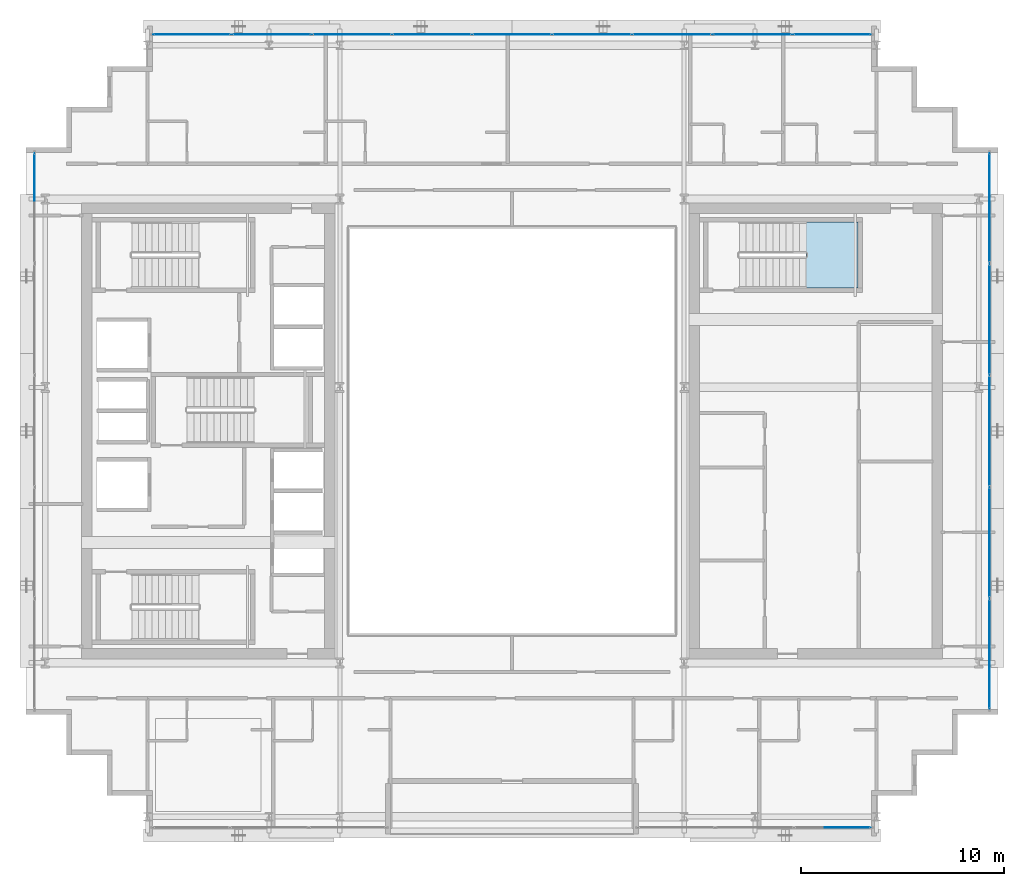
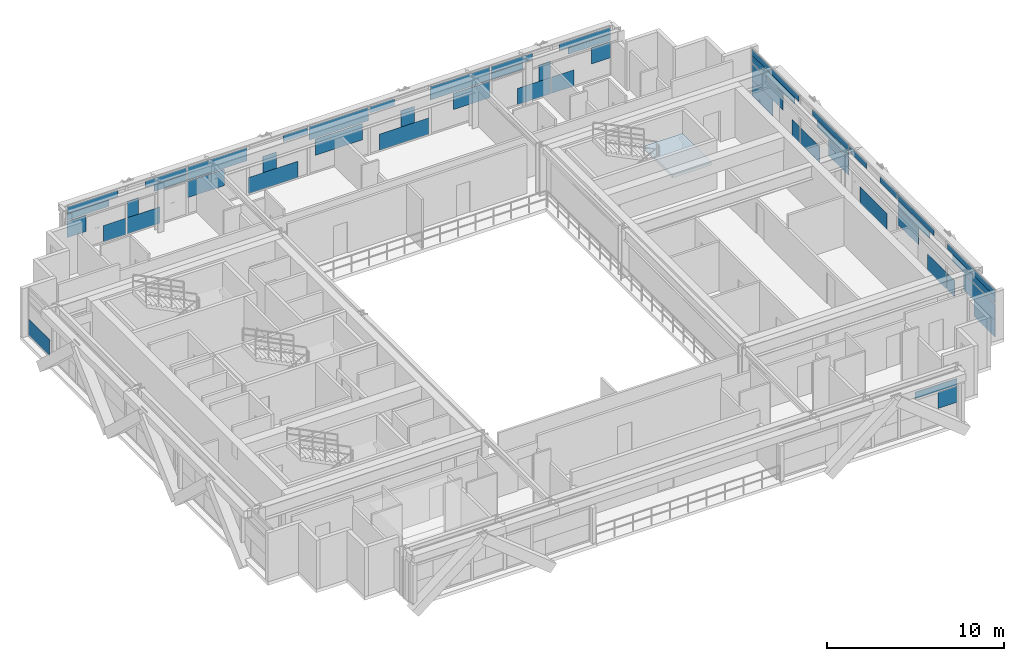
# One storey, part 21 of 31: 52 plates, 1 slab, 5 elements without a shape of their own.
"""IFC4 building model written with IfcOpenShell, lengths in metres."""

from ifc_helpers import new_model, si_unit, direction, frame, origin, origin_2d, place, context, subcontext, project, spatial, polyline, rectangle, outline, extrude, source, transform, mapped, material, layer, layer_set, type_object, element, aggregate, save


model = new_model("IFC4")

# Units and contexts
model_context = context("Model", 3, precision=1e-05, world=origin(), true_north=direction((0.0, 1.0)))
body_context = subcontext(model_context, "Body", "Model", "MODEL_VIEW")
ifc_project = project(units=[si_unit("LENGTHUNIT", "METRE"), si_unit("AREAUNIT", "SQUARE_METRE"), si_unit("VOLUMEUNIT", "CUBIC_METRE"), si_unit("PLANEANGLEUNIT", "RADIAN"), si_unit("MASSUNIT", "GRAM", prefix="KILO")], contexts=[model_context])

# Site, building, storey
site_placement = place(None, origin())
site = spatial("IfcSite", under=ifc_project, at=site_placement, CompositionType="ELEMENT")
building_placement = place(site_placement, origin())
building = spatial("IfcBuilding", under=site, at=building_placement, Name="Ocotamira Hotel", CompositionType="ELEMENT")
storey_placement = place(building_placement, frame((0.0, 0.0, 174.0)))
storey = spatial("IfcBuildingStorey", under=building, at=storey_placement, Name="L43", CompositionType="ELEMENT", Elevation=174.0)

# Stair, slab
ifc_material_1 = material(Name="Concrete C40/50", Category="concrete")
stair_type = type_object("IfcStairType", Name="ST-CORE-1560", PredefinedType="HALF_TURN_STAIR", material=ifc_material_1)
stair_placement = place(storey_placement, origin())
stair = element("IfcStair", 1, at=stair_placement, inside=storey, type_object=stair_type, Name="L43 Exit Stair ST-4", PredefinedType="HALF_TURN_STAIR")
ifc_layer_1 = layer(ifc_material_1, 0.199951171875)
ifc_layer_set_1 = layer_set([ifc_layer_1], Name="Concrete C40/50")
slab_type = type_object("IfcSlabType", Name="SLB-LAND-200", PredefinedType="LANDING", material=ifc_layer_set_1)
slab_placement = place(storey_placement, frame((0.0, 0.0, 1.60009765625)))
slab = element("IfcSlab", 2, at=slab_placement, type_object=slab_type, Name="ST-4 landing 1", PredefinedType="LANDING", context=body_context, shape_type="SweptSolid", body=[
    extrude(outline(polyline([(46.530029296875, 33.050048828125), (49.090087890625, 33.050048828125), (49.090087890625, 36.330078125), (46.530029296875, 36.330078125), (46.530029296875, 33.050048828125)])), origin(), (0.0, 0.0, 1.0), 0.199951171875),
])
aggregate(stair, [slab])

# Curtain wall, plates
ifc_material_2 = material(Name="Anodised pale-metal aluminium and solar glass", Category="aluminium")
ifc_layer_2 = layer(ifc_material_2, 0.199951171875)
ifc_layer_set_2 = layer_set([ifc_layer_2], Name="Anodised pale-metal aluminium and solar glass")
curtain_wall_type = type_object("IfcCurtainWallType", Name="CW-SYS4-Z3", PredefinedType="NOTDEFINED", material=ifc_layer_set_2)
curtain_wall_1_placement = place(storey_placement, origin())
curtain_wall_1 = element("IfcCurtainWall", 3, at=curtain_wall_1_placement, inside=storey, type_object=curtain_wall_type, Name="L43 Curtain Wall CW-4 CW-L43-N", PredefinedType="NOTDEFINED")
ifc_material_3 = material(Name="Double-silver low-E insulated solar glass", Category="glass")
ifc_layer_3 = layer(ifc_material_3, 0.031982421875)
ifc_layer_set_3 = layer_set([ifc_layer_3], Name="Double-silver low-E insulated solar glass")
plate_type = type_object("IfcPlateType", Name="CWP-VISION-32", PredefinedType="CURTAIN_PANEL", material=ifc_layer_set_3)
shared_shape_1 = source(origin(), body_context, "Body", "SweptSolid", [
    extrude(rectangle(XDim=3.87548828125, YDim=0.031982421875, at=origin_2d()), origin(), (0.0, 0.0, 1.0), 0.907470703125),
])
plate_1_placement = place(storey_placement, frame((24.0888671875, 45.580078125, 2.3876953125), z_axis=(0.0, 0.0, 1.0), x_axis=(1.0, 0.0, 0.0)))
plate_1 = element("IfcPlate", 4, at=plate_1_placement, type_object=plate_type, Name="CW-4 panel 3.2", PredefinedType="CURTAIN_PANEL", context=body_context, shape_type="MappedRepresentation", body=[
    mapped(shared_shape_1, transform((0.0, 0.0, 0.0), scale=1.0)),
])
plate_2_placement = place(storey_placement, frame((32.0, 45.580078125, 2.3876953125), z_axis=(0.0, 0.0, 1.0), x_axis=(1.0, 0.0, 0.0)))
plate_2 = element("IfcPlate", 5, at=plate_2_placement, type_object=plate_type, Name="CW-4 panel 5.2", PredefinedType="CURTAIN_PANEL", context=body_context, shape_type="MappedRepresentation", body=[
    mapped(shared_shape_1, transform((0.0, 0.0, 0.0), scale=1.0)),
])
plate_3_placement = place(storey_placement, frame((39.9111328125, 45.580078125, 2.3876953125), z_axis=(0.0, 0.0, 1.0), x_axis=(1.0, 0.0, 0.0)))
plate_3 = element("IfcPlate", 6, at=plate_3_placement, type_object=plate_type, Name="CW-4 panel 7.2", PredefinedType="CURTAIN_PANEL", context=body_context, shape_type="MappedRepresentation", body=[
    mapped(shared_shape_1, transform((0.0, 0.0, 0.0), scale=1.0)),
])

# Curtain wall, plate
curtain_wall_2_placement = place(storey_placement, origin())
curtain_wall_2 = element("IfcCurtainWall", 7, at=curtain_wall_2_placement, inside=storey, type_object=curtain_wall_type, Name="L43 Curtain Wall CW-4 CW-L43-S2", PredefinedType="NOTDEFINED")
shared_shape_2 = source(origin(), body_context, "Body", "SweptSolid", [
    extrude(rectangle(XDim=1.251953125, YDim=0.031982421875, at=origin_2d()), origin(), (0.0, 0.0, 1.0), 1.118896484375),
])
plate_4_placement = place(storey_placement, frame((49.093994140625, 6.419921875, 1.19384765625), z_axis=(0.0, 0.0, 1.0), x_axis=(1.0, 0.0, 0.0)))
plate_4 = element("IfcPlate", 8, at=plate_4_placement, type_object=plate_type, Name="CW-4 panel 3.1.2", PredefinedType="CURTAIN_PANEL", context=body_context, shape_type="MappedRepresentation", body=[
    mapped(shared_shape_2, transform((0.0, 0.0, 0.0), scale=1.0)),
])

# Plate
plate_5_placement = place(storey_placement, frame((14.906005859375, 45.580078125, 1.19384765625), z_axis=(0.0, 0.0, 1.0), x_axis=(1.0, 0.0, 0.0)))
plate_5 = element("IfcPlate", 9, at=plate_5_placement, type_object=plate_type, Name="CW-4 panel 1.1.1", PredefinedType="CURTAIN_PANEL", context=body_context, shape_type="MappedRepresentation", body=[
    mapped(shared_shape_2, transform((0.0, 0.0, 0.0), scale=1.0)),
])

plate_6_placement = place(storey_placement, frame((49.093994140625, 45.580078125, 1.19384765625), z_axis=(0.0, 0.0, 1.0), x_axis=(1.0, 0.0, 0.0)))
plate_6 = element("IfcPlate", 10, at=plate_6_placement, type_object=plate_type, Name="CW-4 panel 9.1.2", PredefinedType="CURTAIN_PANEL", context=body_context, shape_type="MappedRepresentation", body=[
    mapped(shared_shape_2, transform((0.0, 0.0, 0.0), scale=1.0)),
])

shared_shape_3 = source(origin(), body_context, "Body", "SweptSolid", [
    extrude(rectangle(XDim=2.744140625, YDim=0.031982421875, at=origin_2d()), origin(), (0.0, 0.0, 1.0), 0.443603515625),
])
plate_7_placement = place(storey_placement, frame((48.347900390625, 6.419921875, 2.3876953125), z_axis=(0.0, 0.0, 1.0), x_axis=(1.0, 0.0, 0.0)))
plate_7 = element("IfcPlate", 11, at=plate_7_placement, type_object=plate_type, Name="CW-4 panel 3.2.2", PredefinedType="CURTAIN_PANEL", context=body_context, shape_type="MappedRepresentation", body=[
    mapped(shared_shape_3, transform((0.0, 0.0, 0.0), scale=1.0)),
])

aggregate(curtain_wall_2, [plate_4, plate_7])

plate_8_placement = place(storey_placement, frame((15.652099609375, 45.580078125, 2.3876953125), z_axis=(0.0, 0.0, 1.0), x_axis=(1.0, 0.0, 0.0)))
plate_8 = element("IfcPlate", 12, at=plate_8_placement, type_object=plate_type, Name="CW-4 panel 1.2.1", PredefinedType="CURTAIN_PANEL", context=body_context, shape_type="MappedRepresentation", body=[
    mapped(shared_shape_3, transform((0.0, 0.0, 0.0), scale=1.0)),
])

plate_9_placement = place(storey_placement, frame((48.347900390625, 45.580078125, 2.3876953125), z_axis=(0.0, 0.0, 1.0), x_axis=(1.0, 0.0, 0.0)))
plate_9 = element("IfcPlate", 13, at=plate_9_placement, type_object=plate_type, Name="CW-4 panel 9.2.2", PredefinedType="CURTAIN_PANEL", context=body_context, shape_type="MappedRepresentation", body=[
    mapped(shared_shape_3, transform((0.0, 0.0, 0.0), scale=1.0)),
])

shared_shape_4 = source(origin(), body_context, "Body", "SweptSolid", [
    extrude(rectangle(XDim=3.337646484375, YDim=0.031982421875, at=origin_2d()), origin(), (0.0, 0.0, 1.0), 0.4326171875),
])
plate_10_placement = place(storey_placement, frame((15.94873046875, 45.580078125, 2.8623046875), z_axis=(0.0, 0.0, 1.0), x_axis=(1.0, 0.0, 0.0)))
plate_10 = element("IfcPlate", 14, at=plate_10_placement, type_object=plate_type, Name="CW-4 panel 1.2.2", PredefinedType="CURTAIN_PANEL", context=body_context, shape_type="MappedRepresentation", body=[
    mapped(shared_shape_4, transform((0.0, 0.0, 0.0), scale=1.0)),
])

plate_11_placement = place(storey_placement, frame((48.05126953125, 45.580078125, 2.8623046875), z_axis=(0.0, 0.0, 1.0), x_axis=(1.0, 0.0, 0.0)))
plate_11 = element("IfcPlate", 15, at=plate_11_placement, type_object=plate_type, Name="CW-4 panel 9.2.1", PredefinedType="CURTAIN_PANEL", context=body_context, shape_type="MappedRepresentation", body=[
    mapped(shared_shape_4, transform((0.0, 0.0, 0.0), scale=1.0)),
])

shared_shape_5 = source(origin(), body_context, "Body", "SweptSolid", [
    extrude(rectangle(XDim=1.463134765625, YDim=0.031982421875, at=origin_2d()), origin(), (0.0, 0.0, 1.0), 1.118896484375),
])
plate_12_placement = place(storey_placement, frame((17.384033203125, 45.580078125, 0.0751953125), z_axis=(0.0, 0.0, 1.0), x_axis=(1.0, 0.0, 0.0)))
plate_12 = element("IfcPlate", 16, at=plate_12_placement, type_object=plate_type, Name="CW-4 panel 1.1.2", PredefinedType="CURTAIN_PANEL", context=body_context, shape_type="MappedRepresentation", body=[
    mapped(shared_shape_5, transform((0.0, 0.0, 0.0), scale=1.0)),
])

plate_13_placement = place(storey_placement, frame((46.615966796875, 45.580078125, 0.0751953125), z_axis=(0.0, 0.0, 1.0), x_axis=(1.0, 0.0, 0.0)))
plate_13 = element("IfcPlate", 17, at=plate_13_placement, type_object=plate_type, Name="CW-4 panel 9.1.1", PredefinedType="CURTAIN_PANEL", context=body_context, shape_type="MappedRepresentation", body=[
    mapped(shared_shape_5, transform((0.0, 0.0, 0.0), scale=1.0)),
])

shared_shape_6 = source(origin(), body_context, "Body", "SweptSolid", [
    extrude(rectangle(XDim=2.152099609375, YDim=0.031982421875, at=origin_2d()), origin(), (0.0, 0.0, 1.0), 1.118896484375),
])
plate_14_placement = place(storey_placement, frame((19.271484375, 45.580078125, 0.0751953125), z_axis=(0.0, 0.0, 1.0), x_axis=(1.0, 0.0, 0.0)))
plate_14 = element("IfcPlate", 18, at=plate_14_placement, type_object=plate_type, Name="CW-4 panel 2.1.1", PredefinedType="CURTAIN_PANEL", context=body_context, shape_type="MappedRepresentation", body=[
    mapped(shared_shape_6, transform((0.0, 0.0, 0.0), scale=1.0)),
])

plate_15_placement = place(storey_placement, frame((44.728515625, 45.580078125, 0.0751953125), z_axis=(0.0, 0.0, 1.0), x_axis=(1.0, 0.0, 0.0)))
plate_15 = element("IfcPlate", 19, at=plate_15_placement, type_object=plate_type, Name="CW-4 panel 8.1.1", PredefinedType="CURTAIN_PANEL", context=body_context, shape_type="MappedRepresentation", body=[
    mapped(shared_shape_6, transform((0.0, 0.0, 0.0), scale=1.0)),
])

shared_shape_7 = source(origin(), body_context, "Body", "SweptSolid", [
    extrude(rectangle(XDim=0.75341796875, YDim=0.031982421875, at=origin_2d()), origin(), (0.0, 0.0, 1.0), 1.118896484375),
])
plate_16_placement = place(storey_placement, frame((18.572265625, 45.580078125, 1.19384765625), z_axis=(0.0, 0.0, 1.0), x_axis=(1.0, 0.0, 0.0)))
plate_16 = element("IfcPlate", 20, at=plate_16_placement, type_object=plate_type, Name="CW-4 panel 2.1.2", PredefinedType="CURTAIN_PANEL", context=body_context, shape_type="MappedRepresentation", body=[
    mapped(shared_shape_7, transform((0.0, 0.0, 0.0), scale=1.0)),
])

plate_17_placement = place(storey_placement, frame((45.427734375, 45.580078125, 1.19384765625), z_axis=(0.0, 0.0, 1.0), x_axis=(1.0, 0.0, 0.0)))
plate_17 = element("IfcPlate", 21, at=plate_17_placement, type_object=plate_type, Name="CW-4 panel 8.1.2", PredefinedType="CURTAIN_PANEL", context=body_context, shape_type="MappedRepresentation", body=[
    mapped(shared_shape_7, transform((0.0, 0.0, 0.0), scale=1.0)),
])

shared_shape_8 = source(origin(), body_context, "Body", "SweptSolid", [
    extrude(rectangle(XDim=2.688720703125, YDim=0.031982421875, at=origin_2d()), origin(), (0.0, 0.0, 1.0), 0.4326171875),
])
plate_18_placement = place(storey_placement, frame((20.726806640625, 45.580078125, 2.8623046875), z_axis=(0.0, 0.0, 1.0), x_axis=(1.0, 0.0, 0.0)))
plate_18 = element("IfcPlate", 22, at=plate_18_placement, type_object=plate_type, Name="CW-4 panel 2.2.1", PredefinedType="CURTAIN_PANEL", context=body_context, shape_type="MappedRepresentation", body=[
    mapped(shared_shape_8, transform((0.0, 0.0, 0.0), scale=1.0)),
])

plate_19_placement = place(storey_placement, frame((43.273193359375, 45.580078125, 2.8623046875), z_axis=(0.0, 0.0, 1.0), x_axis=(1.0, 0.0, 0.0)))
plate_19 = element("IfcPlate", 23, at=plate_19_placement, type_object=plate_type, Name="CW-4 panel 8.2.2", PredefinedType="CURTAIN_PANEL", context=body_context, shape_type="MappedRepresentation", body=[
    mapped(shared_shape_8, transform((0.0, 0.0, 0.0), scale=1.0)),
])

shared_shape_9 = source(origin(), body_context, "Body", "SweptSolid", [
    extrude(rectangle(XDim=2.09521484375, YDim=0.031982421875, at=origin_2d()), origin(), (0.0, 0.0, 1.0), 0.443603515625),
])
plate_20_placement = place(storey_placement, frame((21.0234375, 45.580078125, 2.3876953125), z_axis=(0.0, 0.0, 1.0), x_axis=(1.0, 0.0, 0.0)))
plate_20 = element("IfcPlate", 24, at=plate_20_placement, type_object=plate_type, Name="CW-4 panel 2.2.2", PredefinedType="CURTAIN_PANEL", context=body_context, shape_type="MappedRepresentation", body=[
    mapped(shared_shape_9, transform((0.0, 0.0, 0.0), scale=1.0)),
])

plate_21_placement = place(storey_placement, frame((42.9765625, 45.580078125, 2.3876953125), z_axis=(0.0, 0.0, 1.0), x_axis=(1.0, 0.0, 0.0)))
plate_21 = element("IfcPlate", 25, at=plate_21_placement, type_object=plate_type, Name="CW-4 panel 8.2.1", PredefinedType="CURTAIN_PANEL", context=body_context, shape_type="MappedRepresentation", body=[
    mapped(shared_shape_9, transform((0.0, 0.0, 0.0), scale=1.0)),
])

shared_shape_10 = source(origin(), body_context, "Body", "SweptSolid", [
    extrude(rectangle(XDim=2.380859375, YDim=0.031982421875, at=origin_2d()), origin(), (0.0, 0.0, 1.0), 1.118896484375),
])
plate_22_placement = place(storey_placement, frame((23.341552734375, 45.580078125, 1.19384765625), z_axis=(0.0, 0.0, 1.0), x_axis=(1.0, 0.0, 0.0)))
plate_22 = element("IfcPlate", 26, at=plate_22_placement, type_object=plate_type, Name="CW-4 panel 3.1.1", PredefinedType="CURTAIN_PANEL", context=body_context, shape_type="MappedRepresentation", body=[
    mapped(shared_shape_10, transform((0.0, 0.0, 0.0), scale=1.0)),
])

plate_23_placement = place(storey_placement, frame((40.658447265625, 45.580078125, 1.19384765625), z_axis=(0.0, 0.0, 1.0), x_axis=(1.0, 0.0, 0.0)))
plate_23 = element("IfcPlate", 27, at=plate_23_placement, type_object=plate_type, Name="CW-4 panel 7.1.1", PredefinedType="CURTAIN_PANEL", context=body_context, shape_type="MappedRepresentation", body=[
    mapped(shared_shape_10, transform((0.0, 0.0, 0.0), scale=1.0)),
])

shared_shape_11 = source(origin(), body_context, "Body", "SweptSolid", [
    extrude(rectangle(XDim=3.240966796875, YDim=0.031982421875, at=origin_2d()), origin(), (0.0, 0.0, 1.0), 1.118896484375),
])
plate_24_placement = place(storey_placement, frame((27.72705078125, 45.580078125, 0.0751953125), z_axis=(0.0, 0.0, 1.0), x_axis=(1.0, 0.0, 0.0)))
plate_24 = element("IfcPlate", 28, at=plate_24_placement, type_object=plate_type, Name="CW-4 panel 4.1.1", PredefinedType="CURTAIN_PANEL", context=body_context, shape_type="MappedRepresentation", body=[
    mapped(shared_shape_11, transform((0.0, 0.0, 0.0), scale=1.0)),
])

plate_25_placement = place(storey_placement, frame((36.27294921875, 45.580078125, 0.0751953125), z_axis=(0.0, 0.0, 1.0), x_axis=(1.0, 0.0, 0.0)))
plate_25 = element("IfcPlate", 29, at=plate_25_placement, type_object=plate_type, Name="CW-4 panel 6.1.1", PredefinedType="CURTAIN_PANEL", context=body_context, shape_type="MappedRepresentation", body=[
    mapped(shared_shape_11, transform((0.0, 0.0, 0.0), scale=1.0)),
])

shared_shape_12 = source(origin(), body_context, "Body", "SweptSolid", [
    extrude(rectangle(XDim=0.898193359375, YDim=0.031982421875, at=origin_2d()), origin(), (0.0, 0.0, 1.0), 1.118896484375),
])
plate_26_placement = place(storey_placement, frame((27.5, 45.580078125, 1.19384765625), z_axis=(0.0, 0.0, 1.0), x_axis=(1.0, 0.0, 0.0)))
plate_26 = element("IfcPlate", 30, at=plate_26_placement, type_object=plate_type, Name="CW-4 panel 4.1.2", PredefinedType="CURTAIN_PANEL", context=body_context, shape_type="MappedRepresentation", body=[
    mapped(shared_shape_12, transform((0.0, 0.0, 0.0), scale=1.0)),
])

plate_27_placement = place(storey_placement, frame((36.5, 45.580078125, 1.19384765625), z_axis=(0.0, 0.0, 1.0), x_axis=(1.0, 0.0, 0.0)))
plate_27 = element("IfcPlate", 31, at=plate_27_placement, type_object=plate_type, Name="CW-4 panel 6.1.2", PredefinedType="CURTAIN_PANEL", context=body_context, shape_type="MappedRepresentation", body=[
    mapped(shared_shape_12, transform((0.0, 0.0, 0.0), scale=1.0)),
])

shared_shape_13 = source(origin(), body_context, "Body", "SweptSolid", [
    extrude(rectangle(XDim=1.599853515625, YDim=0.031982421875, at=origin_2d()), origin(), (0.0, 0.0, 1.0), 0.4326171875),
])
plate_28_placement = place(storey_placement, frame((29.182373046875, 45.580078125, 2.8623046875), z_axis=(0.0, 0.0, 1.0), x_axis=(1.0, 0.0, 0.0)))
plate_28 = element("IfcPlate", 32, at=plate_28_placement, type_object=plate_type, Name="CW-4 panel 4.2.1", PredefinedType="CURTAIN_PANEL", context=body_context, shape_type="MappedRepresentation", body=[
    mapped(shared_shape_13, transform((0.0, 0.0, 0.0), scale=1.0)),
])

plate_29_placement = place(storey_placement, frame((34.817626953125, 45.580078125, 2.8623046875), z_axis=(0.0, 0.0, 1.0), x_axis=(1.0, 0.0, 0.0)))
plate_29 = element("IfcPlate", 33, at=plate_29_placement, type_object=plate_type, Name="CW-4 panel 6.2.1", PredefinedType="CURTAIN_PANEL", context=body_context, shape_type="MappedRepresentation", body=[
    mapped(shared_shape_13, transform((0.0, 0.0, 0.0), scale=1.0)),
])

shared_shape_14 = source(origin(), body_context, "Body", "SweptSolid", [
    extrude(rectangle(XDim=3.063720703125, YDim=0.031982421875, at=origin_2d()), origin(), (0.0, 0.0, 1.0), 1.118896484375),
])
plate_30_placement = place(storey_placement, frame((32.0, 45.580078125, 1.19384765625), z_axis=(0.0, 0.0, 1.0), x_axis=(1.0, 0.0, 0.0)))
plate_30 = element("IfcPlate", 34, at=plate_30_placement, type_object=plate_type, Name="CW-4 panel 5.1.1", PredefinedType="CURTAIN_PANEL", context=body_context, shape_type="MappedRepresentation", body=[
    mapped(shared_shape_14, transform((0.0, 0.0, 0.0), scale=1.0)),
])

aggregate(curtain_wall_1, [plate_5, plate_12, plate_8, plate_10, plate_14, plate_16, plate_18, plate_20, plate_22, plate_1, plate_24, plate_26, plate_28, plate_30, plate_2, plate_25, plate_27, plate_29, plate_23, plate_3, plate_15, plate_17, plate_21, plate_19, plate_13, plate_6, plate_11, plate_9])

# Curtain wall, plate
curtain_wall_3_placement = place(storey_placement, origin())
curtain_wall_3 = element("IfcCurtainWall", 35, at=curtain_wall_3_placement, inside=storey, type_object=curtain_wall_type, Name="L43 Curtain Wall CW-4 CW-L43-W", PredefinedType="NOTDEFINED")
shared_shape_15 = source(origin(), body_context, "Body", "SweptSolid", [
    extrude(rectangle(XDim=2.348388671875, YDim=0.031982421875, at=origin_2d()), origin(), (0.0, 0.0, 1.0), 1.118896484375),
])
plate_31_placement = place(storey_placement, frame((8.419921875, 38.5458984375, 0.0751953125), z_axis=(0.0, 0.0, 1.0), x_axis=(0.0, 1.0, 0.0)))
plate_31 = element("IfcPlate", 36, at=plate_31_placement, type_object=plate_type, Name="CW-4 panel 5.1.3", PredefinedType="CURTAIN_PANEL", context=body_context, shape_type="MappedRepresentation", body=[
    mapped(shared_shape_15, transform((0.0, 0.0, 0.0), scale=1.0)),
])
aggregate(curtain_wall_3, [plate_31])

# Curtain wall, plates
curtain_wall_4_placement = place(storey_placement, origin())
curtain_wall_4 = element("IfcCurtainWall", 37, at=curtain_wall_4_placement, inside=storey, type_object=curtain_wall_type, Name="L43 Curtain Wall CW-4 CW-L43-E", PredefinedType="NOTDEFINED")
plate_32_placement = place(storey_placement, frame((55.580078125, 13.4541015625, 0.0751953125), z_axis=(0.0, 0.0, 1.0), x_axis=(0.0, 1.0, 0.0)))
plate_32 = element("IfcPlate", 38, at=plate_32_placement, type_object=plate_type, Name="CW-4 panel 1.1.1", PredefinedType="CURTAIN_PANEL", context=body_context, shape_type="MappedRepresentation", body=[
    mapped(shared_shape_15, transform((0.0, 0.0, 0.0), scale=1.0)),
])
plate_33_placement = place(storey_placement, frame((55.580078125, 38.5458984375, 0.0751953125), z_axis=(0.0, 0.0, 1.0), x_axis=(0.0, 1.0, 0.0)))
plate_33 = element("IfcPlate", 39, at=plate_33_placement, type_object=plate_type, Name="CW-4 panel 5.1.3", PredefinedType="CURTAIN_PANEL", context=body_context, shape_type="MappedRepresentation", body=[
    mapped(shared_shape_15, transform((0.0, 0.0, 0.0), scale=1.0)),
])
shared_shape_16 = source(origin(), body_context, "Body", "SweptSolid", [
    extrude(rectangle(XDim=3.534423828125, YDim=0.031982421875, at=origin_2d()), origin(), (0.0, 0.0, 1.0), 1.118896484375),
])
plate_34_placement = place(storey_placement, frame((55.580078125, 14.047119140625, 1.19384765625), z_axis=(0.0, 0.0, 1.0), x_axis=(0.0, 1.0, 0.0)))
plate_34 = element("IfcPlate", 40, at=plate_34_placement, type_object=plate_type, Name="CW-4 panel 1.1.2", PredefinedType="CURTAIN_PANEL", context=body_context, shape_type="MappedRepresentation", body=[
    mapped(shared_shape_16, transform((0.0, 0.0, 0.0), scale=1.0)),
])
plate_35_placement = place(storey_placement, frame((55.580078125, 37.952880859375, 1.19384765625), z_axis=(0.0, 0.0, 1.0), x_axis=(0.0, 1.0, 0.0)))
plate_35 = element("IfcPlate", 41, at=plate_35_placement, type_object=plate_type, Name="CW-4 panel 5.1.2", PredefinedType="CURTAIN_PANEL", context=body_context, shape_type="MappedRepresentation", body=[
    mapped(shared_shape_16, transform((0.0, 0.0, 0.0), scale=1.0)),
])
shared_shape_17 = source(origin(), body_context, "Body", "SweptSolid", [
    extrude(rectangle(XDim=0.845458984375, YDim=0.031982421875, at=origin_2d()), origin(), (0.0, 0.0, 1.0), 1.118896484375),
])
plate_36_placement = place(storey_placement, frame((55.580078125, 17.25732421875, 0.0751953125), z_axis=(0.0, 0.0, 1.0), x_axis=(0.0, 1.0, 0.0)))
plate_36 = element("IfcPlate", 42, at=plate_36_placement, type_object=plate_type, Name="CW-4 panel 1.1.3", PredefinedType="CURTAIN_PANEL", context=body_context, shape_type="MappedRepresentation", body=[
    mapped(shared_shape_17, transform((0.0, 0.0, 0.0), scale=1.0)),
])
plate_37_placement = place(storey_placement, frame((55.580078125, 34.74267578125, 0.0751953125), z_axis=(0.0, 0.0, 1.0), x_axis=(0.0, 1.0, 0.0)))
plate_37 = element("IfcPlate", 43, at=plate_37_placement, type_object=plate_type, Name="CW-4 panel 5.1.1", PredefinedType="CURTAIN_PANEL", context=body_context, shape_type="MappedRepresentation", body=[
    mapped(shared_shape_17, transform((0.0, 0.0, 0.0), scale=1.0)),
])
shared_shape_18 = source(origin(), body_context, "Body", "SweptSolid", [
    extrude(rectangle(XDim=4.7998046875, YDim=0.031982421875, at=origin_2d()), origin(), (0.0, 0.0, 1.0), 0.4951171875),
])
plate_38_placement = place(storey_placement, frame((55.580078125, 14.679931640625, 2.387451171875), z_axis=(0.0, 0.0, 1.0), x_axis=(0.0, 1.0, 0.0)))
plate_38 = element("IfcPlate", 44, at=plate_38_placement, type_object=plate_type, Name="CW-4 panel 1.2.1", PredefinedType="CURTAIN_PANEL", context=body_context, shape_type="MappedRepresentation", body=[
    mapped(shared_shape_18, transform((0.0, 0.0, 0.0), scale=1.0)),
])
plate_39_placement = place(storey_placement, frame((55.580078125, 37.320068359375, 2.387451171875), z_axis=(0.0, 0.0, 1.0), x_axis=(0.0, 1.0, 0.0)))
plate_39 = element("IfcPlate", 45, at=plate_39_placement, type_object=plate_type, Name="CW-4 panel 5.2.2", PredefinedType="CURTAIN_PANEL", context=body_context, shape_type="MappedRepresentation", body=[
    mapped(shared_shape_18, transform((0.0, 0.0, 0.0), scale=1.0)),
])
shared_shape_19 = source(origin(), body_context, "Body", "SweptSolid", [
    extrude(rectangle(XDim=5.32470703125, YDim=0.031982421875, at=origin_2d()), origin(), (0.0, 0.0, 1.0), 0.41259765625),
])
plate_40_placement = place(storey_placement, frame((55.580078125, 14.9423828125, 2.882568359375), z_axis=(0.0, 0.0, 1.0), x_axis=(0.0, 1.0, 0.0)))
plate_40 = element("IfcPlate", 46, at=plate_40_placement, type_object=plate_type, Name="CW-4 panel 1.2.2", PredefinedType="CURTAIN_PANEL", context=body_context, shape_type="MappedRepresentation", body=[
    mapped(shared_shape_19, transform((0.0, 0.0, 0.0), scale=1.0)),
])
plate_41_placement = place(storey_placement, frame((55.580078125, 37.0576171875, 2.882568359375), z_axis=(0.0, 0.0, 1.0), x_axis=(0.0, 1.0, 0.0)))
plate_41 = element("IfcPlate", 47, at=plate_41_placement, type_object=plate_type, Name="CW-4 panel 5.2.1", PredefinedType="CURTAIN_PANEL", context=body_context, shape_type="MappedRepresentation", body=[
    mapped(shared_shape_19, transform((0.0, 0.0, 0.0), scale=1.0)),
])
shared_shape_20 = source(origin(), body_context, "Body", "SweptSolid", [
    extrude(rectangle(XDim=2.138671875, YDim=0.031982421875, at=origin_2d()), origin(), (0.0, 0.0, 1.0), 1.118896484375),
])
plate_42_placement = place(storey_placement, frame((55.580078125, 18.829345703125, 0.0751953125), z_axis=(0.0, 0.0, 1.0), x_axis=(0.0, 1.0, 0.0)))
plate_42 = element("IfcPlate", 48, at=plate_42_placement, type_object=plate_type, Name="CW-4 panel 2.1.1", PredefinedType="CURTAIN_PANEL", context=body_context, shape_type="MappedRepresentation", body=[
    mapped(shared_shape_20, transform((0.0, 0.0, 0.0), scale=1.0)),
])
plate_43_placement = place(storey_placement, frame((55.580078125, 33.170654296875, 0.0751953125), z_axis=(0.0, 0.0, 1.0), x_axis=(0.0, 1.0, 0.0)))
plate_43 = element("IfcPlate", 49, at=plate_43_placement, type_object=plate_type, Name="CW-4 panel 4.1.2", PredefinedType="CURTAIN_PANEL", context=body_context, shape_type="MappedRepresentation", body=[
    mapped(shared_shape_20, transform((0.0, 0.0, 0.0), scale=1.0)),
])
shared_shape_21 = source(origin(), body_context, "Body", "SweptSolid", [
    extrude(rectangle(XDim=2.281005859375, YDim=0.031982421875, at=origin_2d()), origin(), (0.0, 0.0, 1.0), 1.118896484375),
])
plate_44_placement = place(storey_placement, frame((55.580078125, 22.059326171875, 1.19384765625), z_axis=(0.0, 0.0, 1.0), x_axis=(0.0, 1.0, 0.0)))
plate_44 = element("IfcPlate", 50, at=plate_44_placement, type_object=plate_type, Name="CW-4 panel 2.1.2", PredefinedType="CURTAIN_PANEL", context=body_context, shape_type="MappedRepresentation", body=[
    mapped(shared_shape_21, transform((0.0, 0.0, 0.0), scale=1.0)),
])
plate_45_placement = place(storey_placement, frame((55.580078125, 29.940673828125, 1.19384765625), z_axis=(0.0, 0.0, 1.0), x_axis=(0.0, 1.0, 0.0)))
plate_45 = element("IfcPlate", 51, at=plate_45_placement, type_object=plate_type, Name="CW-4 panel 4.1.1", PredefinedType="CURTAIN_PANEL", context=body_context, shape_type="MappedRepresentation", body=[
    mapped(shared_shape_21, transform((0.0, 0.0, 0.0), scale=1.0)),
])
shared_shape_22 = source(origin(), body_context, "Body", "SweptSolid", [
    extrude(rectangle(XDim=4.071533203125, YDim=0.031982421875, at=origin_2d()), origin(), (0.0, 0.0, 1.0), 0.41259765625),
])
plate_46_placement = place(storey_placement, frame((55.580078125, 21.164306640625, 2.882568359375), z_axis=(0.0, 0.0, 1.0), x_axis=(0.0, 1.0, 0.0)))
plate_46 = element("IfcPlate", 52, at=plate_46_placement, type_object=plate_type, Name="CW-4 panel 2.2.1", PredefinedType="CURTAIN_PANEL", context=body_context, shape_type="MappedRepresentation", body=[
    mapped(shared_shape_22, transform((0.0, 0.0, 0.0), scale=1.0)),
])
plate_47_placement = place(storey_placement, frame((55.580078125, 30.835693359375, 2.882568359375), z_axis=(0.0, 0.0, 1.0), x_axis=(0.0, 1.0, 0.0)))
plate_47 = element("IfcPlate", 53, at=plate_47_placement, type_object=plate_type, Name="CW-4 panel 4.2.2", PredefinedType="CURTAIN_PANEL", context=body_context, shape_type="MappedRepresentation", body=[
    mapped(shared_shape_22, transform((0.0, 0.0, 0.0), scale=1.0)),
])
shared_shape_23 = source(origin(), body_context, "Body", "SweptSolid", [
    extrude(rectangle(XDim=3.546630859375, YDim=0.031982421875, at=origin_2d()), origin(), (0.0, 0.0, 1.0), 0.460693359375),
])
plate_48_placement = place(storey_placement, frame((55.580078125, 21.426513671875, 2.3876953125), z_axis=(0.0, 0.0, 1.0), x_axis=(0.0, 1.0, 0.0)))
plate_48 = element("IfcPlate", 54, at=plate_48_placement, type_object=plate_type, Name="CW-4 panel 2.2.2", PredefinedType="CURTAIN_PANEL", context=body_context, shape_type="MappedRepresentation", body=[
    mapped(shared_shape_23, transform((0.0, 0.0, 0.0), scale=1.0)),
])
plate_49_placement = place(storey_placement, frame((55.580078125, 30.573486328125, 2.3876953125), z_axis=(0.0, 0.0, 1.0), x_axis=(0.0, 1.0, 0.0)))
plate_49 = element("IfcPlate", 55, at=plate_49_placement, type_object=plate_type, Name="CW-4 panel 4.2.1", PredefinedType="CURTAIN_PANEL", context=body_context, shape_type="MappedRepresentation", body=[
    mapped(shared_shape_23, transform((0.0, 0.0, 0.0), scale=1.0)),
])
shared_shape_24 = source(origin(), body_context, "Body", "SweptSolid", [
    extrude(rectangle(XDim=3.064208984375, YDim=0.031982421875, at=origin_2d()), origin(), (0.0, 0.0, 1.0), 1.118896484375),
])
plate_50_placement = place(storey_placement, frame((55.580078125, 26.0, 0.0751953125), z_axis=(0.0, 0.0, 1.0), x_axis=(0.0, 1.0, 0.0)))
plate_50 = element("IfcPlate", 56, at=plate_50_placement, type_object=plate_type, Name="CW-4 panel 3.1.1", PredefinedType="CURTAIN_PANEL", context=body_context, shape_type="MappedRepresentation", body=[
    mapped(shared_shape_24, transform((0.0, 0.0, 0.0), scale=1.0)),
])
shared_shape_25 = source(origin(), body_context, "Body", "SweptSolid", [
    extrude(rectangle(XDim=1.958251953125, YDim=0.031982421875, at=origin_2d()), origin(), (0.0, 0.0, 1.0), 0.41259765625),
])
plate_51_placement = place(storey_placement, frame((55.580078125, 24.259033203125, 2.882568359375), z_axis=(0.0, 0.0, 1.0), x_axis=(0.0, 1.0, 0.0)))
plate_51 = element("IfcPlate", 57, at=plate_51_placement, type_object=plate_type, Name="CW-4 panel 3.2.1", PredefinedType="CURTAIN_PANEL", context=body_context, shape_type="MappedRepresentation", body=[
    mapped(shared_shape_25, transform((0.0, 0.0, 0.0), scale=1.0)),
])
plate_52_placement = place(storey_placement, frame((55.580078125, 27.740966796875, 2.882568359375), z_axis=(0.0, 0.0, 1.0), x_axis=(0.0, 1.0, 0.0)))
plate_52 = element("IfcPlate", 58, at=plate_52_placement, type_object=plate_type, Name="CW-4 panel 3.2.2", PredefinedType="CURTAIN_PANEL", context=body_context, shape_type="MappedRepresentation", body=[
    mapped(shared_shape_25, transform((0.0, 0.0, 0.0), scale=1.0)),
])
aggregate(curtain_wall_4, [plate_32, plate_34, plate_36, plate_38, plate_40, plate_42, plate_44, plate_46, plate_48, plate_50, plate_51, plate_52, plate_45, plate_43, plate_49, plate_47, plate_37, plate_35, plate_33, plate_41, plate_39])

save(model, "model.ifc")
